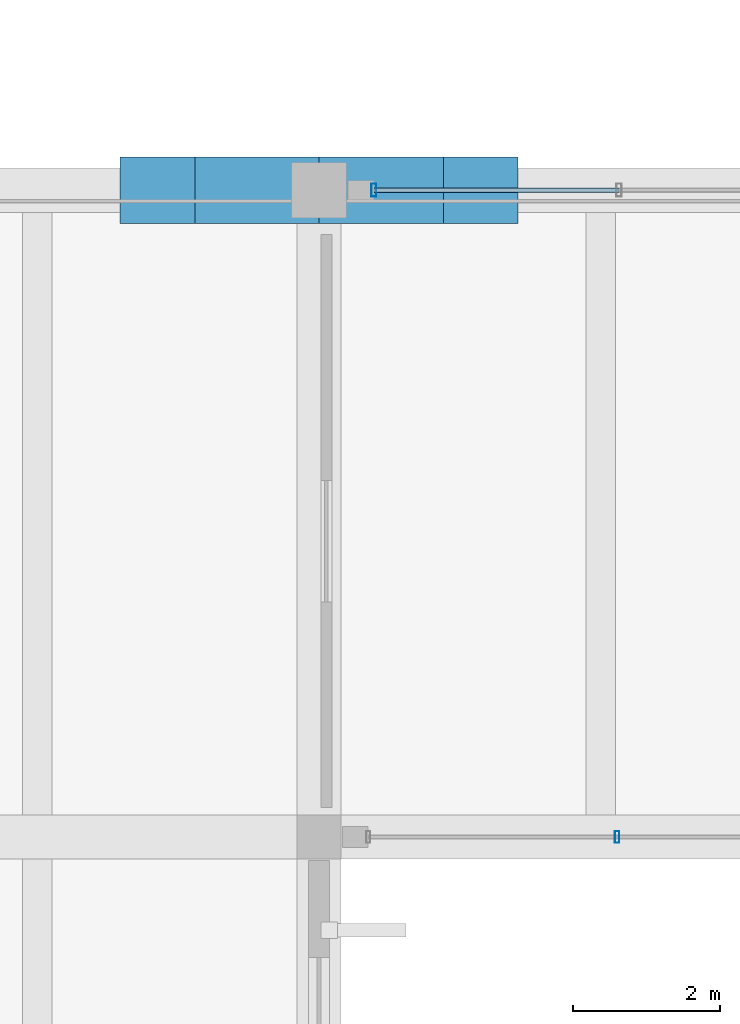
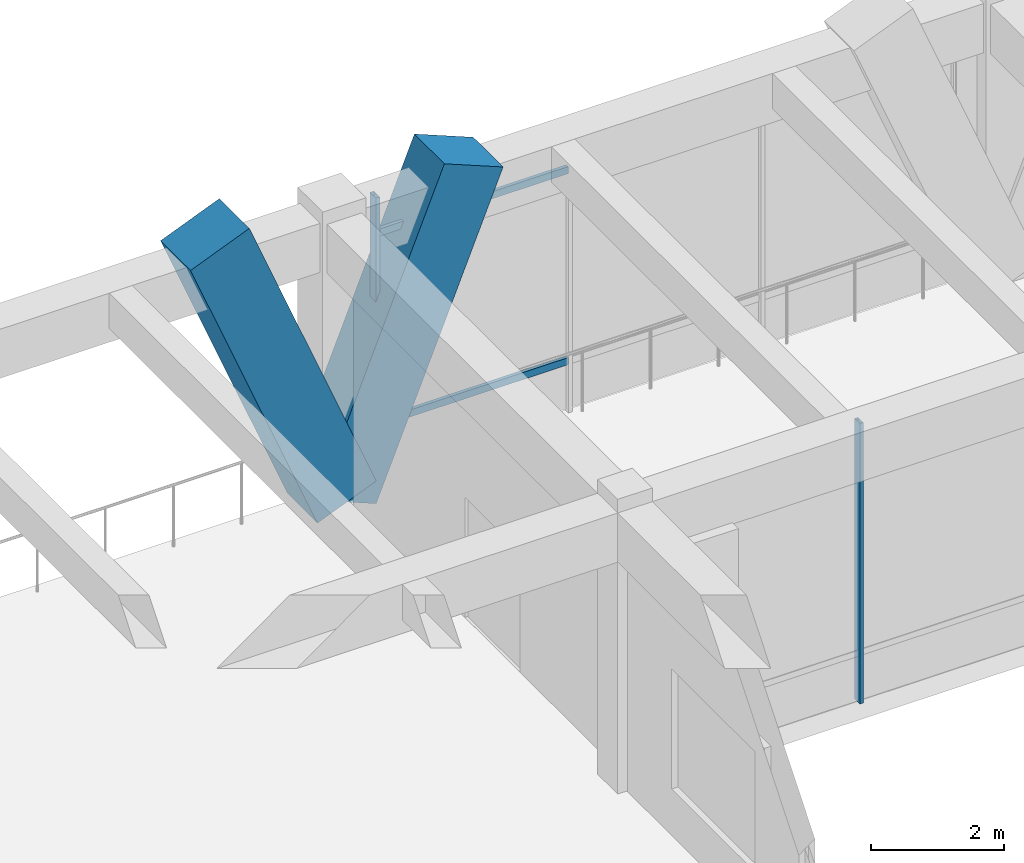
# One storey, part 9 of 148: 6 members, 2 elements without a shape of their own.
"""IFC4 building model written with IfcOpenShell, lengths in metres."""

from ifc_helpers import new_model, si_unit, direction, frame, origin, origin_2d, place, context, subcontext, project, spatial, rectangle, hollow_rectangle, extrude, material, material_profile, profile_set, type_object, element, aggregate, save


model = new_model("IFC4")

# Units and contexts
model_context = context("Model", 3, precision=1e-05, world=origin(), true_north=direction((0.0, 1.0)))
body_context = subcontext(model_context, "Body", "Model", "MODEL_VIEW")
ifc_project = project(units=[si_unit("LENGTHUNIT", "METRE"), si_unit("AREAUNIT", "SQUARE_METRE"), si_unit("VOLUMEUNIT", "CUBIC_METRE"), si_unit("PLANEANGLEUNIT", "RADIAN"), si_unit("MASSUNIT", "GRAM", prefix="KILO")], contexts=[model_context])

# Site, building, storey
site_placement = place(None, origin())
site = spatial("IfcSite", under=ifc_project, at=site_placement, CompositionType="ELEMENT")
building_placement = place(site_placement, origin())
building = spatial("IfcBuilding", under=site, at=building_placement, Name="Ologun Quay Terminus", CompositionType="ELEMENT")
storey_placement = place(building_placement, frame((0.0, 0.0, 8.39990234375)))
storey = spatial("IfcBuildingStorey", under=building, at=storey_placement, Name="L02", CompositionType="ELEMENT", Elevation=8.39990234375)

# Curtain wall, members
ifc_material_1 = material(Name="Aluminium 6063-T6", Category="aluminium")
curtain_wall_type_1 = type_object("IfcCurtainWallType", Name="Train Shed South Clerestory Curtain Wall 10700x5050", PredefinedType="USERDEFINED", material=ifc_material_1)
curtain_wall_1_placement = place(storey_placement, origin())
curtain_wall_1 = element("IfcCurtainWall", 1, at=curtain_wall_1_placement, inside=storey, type_object=curtain_wall_type_1, Name="CW-08 Curtain Wall CW-L02-046", ObjectType="UNITISED CURTAIN WALL", PredefinedType="USERDEFINED")
ifc_material_2 = material(Name="Aluminium 6063-T6", Category="aluminium")
ifc_material_profile_1 = material_profile(ifc_material_2, hollow_rectangle(XDim=0.070068359375, YDim=0.179931640625, WallThickness=0.0048828125, at=origin_2d()), Name="ALU 180x70x5")
ifc_profile_set_1 = profile_set([ifc_material_profile_1], Name="Aluminium 6063-T6")
member_type_1 = type_object("IfcMemberType", Name="Concourse Clerestory Mullion 180x70", PredefinedType="MULLION", material=ifc_profile_set_1)
member_1_placement = place(storey_placement, frame((12.2451171875, 36.0, 0.0), z_axis=(0.0, 0.0, 1.0), x_axis=(1.0, 0.0, 0.0)))
member_1 = element("IfcMember", 2, at=member_1_placement, type_object=member_type_1, Name="CW-L02-046 Mullion 1", PredefinedType="MULLION", context=body_context, shape_type="SweptSolid", body=[
    extrude(hollow_rectangle(XDim=0.070068359375, YDim=0.179931640625, WallThickness=0.0048828125, at=origin_2d()), origin(), (0.0, 0.0, 1.0), 5.10009765625),
])
ifc_material_3 = material(Name="Aluminium 6063-T6", Category="aluminium")
ifc_material_profile_2 = material_profile(ifc_material_3, hollow_rectangle(XDim=0.06005859375, YDim=0.1298828125, WallThickness=0.00390625, at=origin_2d()), Name="ALU 130x60x4")
ifc_profile_set_2 = profile_set([ifc_material_profile_2], Name="Aluminium 6063-T6")
member_type_2 = type_object("IfcMemberType", Name="Concourse Clerestory Transom 130x60", PredefinedType="USERDEFINED", material=ifc_profile_set_2)
member_2_placement = place(storey_placement, frame((12.2451171875, 36.0, 0.900146484375), z_axis=(1.0, 0.0, 0.0), x_axis=(0.0, 1.0, 0.0)))
member_2 = element("IfcMember", 3, at=member_2_placement, type_object=member_type_2, Name="CW-L02-046 Transom B1-1", ObjectType="TRANSOM", PredefinedType="USERDEFINED", context=body_context, shape_type="SweptSolid", body=[
    extrude(hollow_rectangle(XDim=0.06005859375, YDim=0.1298828125, WallThickness=0.00390625, at=origin_2d()), origin(), (0.0, 0.0, 1.0), 3.336669921875),
])
member_3_placement = place(storey_placement, frame((12.2451171875, 36.0, 4.400146484375), z_axis=(1.0, 0.0, 0.0), x_axis=(0.0, 1.0, 0.0)))
member_3 = element("IfcMember", 4, at=member_3_placement, type_object=member_type_2, Name="CW-L02-046 Transom B1-2", ObjectType="TRANSOM", PredefinedType="USERDEFINED", context=body_context, shape_type="SweptSolid", body=[
    extrude(hollow_rectangle(XDim=0.06005859375, YDim=0.1298828125, WallThickness=0.00390625, at=origin_2d()), origin(), (0.0, 0.0, 1.0), 3.336669921875),
])
aggregate(curtain_wall_1, [member_1, member_2, member_3])

# Curtain wall, member
ifc_material_4 = material(Name="Aluminium 6063-T6", Category="aluminium")
curtain_wall_type_2 = type_object("IfcCurtainWallType", Name="Concourse Departure Curtain Wall 10700x4950", PredefinedType="USERDEFINED", material=ifc_material_4)
curtain_wall_2_placement = place(storey_placement, origin())
curtain_wall_2 = element("IfcCurtainWall", 5, at=curtain_wall_2_placement, inside=storey, type_object=curtain_wall_type_2, Name="CW-05 Curtain Wall CW-L02-020", ObjectType="UNITISED CURTAIN WALL", PredefinedType="USERDEFINED")
ifc_material_5 = material(Name="Aluminium 6063-T6", Category="aluminium")
ifc_material_profile_3 = material_profile(ifc_material_5, hollow_rectangle(XDim=0.06005859375, YDim=0.159912109375, WallThickness=0.00390625, at=origin_2d()), Name="ALU 160x60x4")
ifc_profile_set_3 = profile_set([ifc_material_profile_3], Name="Aluminium 6063-T6")
member_type_3 = type_object("IfcMemberType", Name="Curtain Wall Standard Mullion 160x65", PredefinedType="MULLION", material=ifc_profile_set_3)
member_4_placement = place(storey_placement, frame((15.556640625, 27.199951171875, 0.0), z_axis=(0.0, 0.0, 1.0), x_axis=(1.0, 0.0, 0.0)))
member_4 = element("IfcMember", 6, at=member_4_placement, type_object=member_type_3, Name="CW-L02-020 Mullion 2", PredefinedType="MULLION", context=body_context, shape_type="SweptSolid", body=[
    extrude(hollow_rectangle(XDim=0.06005859375, YDim=0.159912109375, WallThickness=0.00390625, at=origin_2d()), origin(), (0.0, 0.0, 1.0), 5.14013671875),
])
aggregate(curtain_wall_2, [member_4])

# Members
ifc_material_6 = material(Name="Concrete C45/55", Category="concrete")
ifc_material_profile_4 = material_profile(ifc_material_6, rectangle(XDim=0.89990234375, YDim=1.10009765625, at=origin_2d()), Name="RC 900x1100")
ifc_profile_set_4 = profile_set([ifc_material_profile_4], Name="Concrete C45/55")
member_type_4 = type_object("IfcMemberType", Name="Sculpted Concrete Arch V-Buttress Strut 900x1100", PredefinedType="STRUT", material=ifc_profile_set_4)
for number, where, z_axis, x_axis, name in (
    (7, (11.5, 36.0, 0.0), (-0.377280927807, 0.0, 0.926098861631), (0.0, -1.0, 0.0), "VS1 Arch V-Buttress West Limb 2/E"),
    (8, (11.5, 36.0, 0.0), (0.377280927807, 0.0, 0.926098861631), (0.0, 1.0, 0.0), "VS1 Arch V-Buttress East Limb 2/E"),
):
    element("IfcMember", number, at=place(storey_placement, frame(where, z_axis=z_axis, x_axis=x_axis)), inside=storey, type_object=member_type_4, Name=name, PredefinedType="STRUT", context=body_context, shape_type="SweptSolid", body=[
        extrude(rectangle(XDim=0.89990234375, YDim=1.10009765625, at=origin_2d()), origin(), (0.0, 0.0, 1.0), 5.8310546875),
    ])

save(model, "model.ifc")
